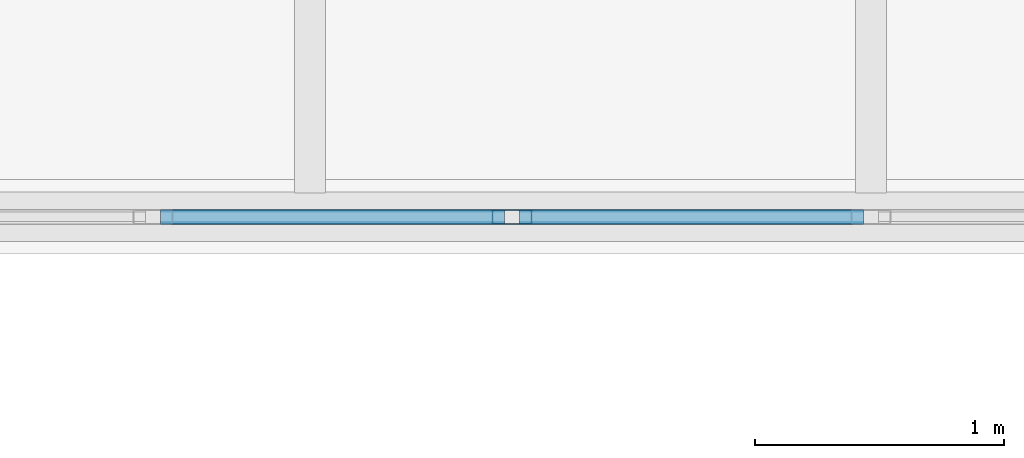
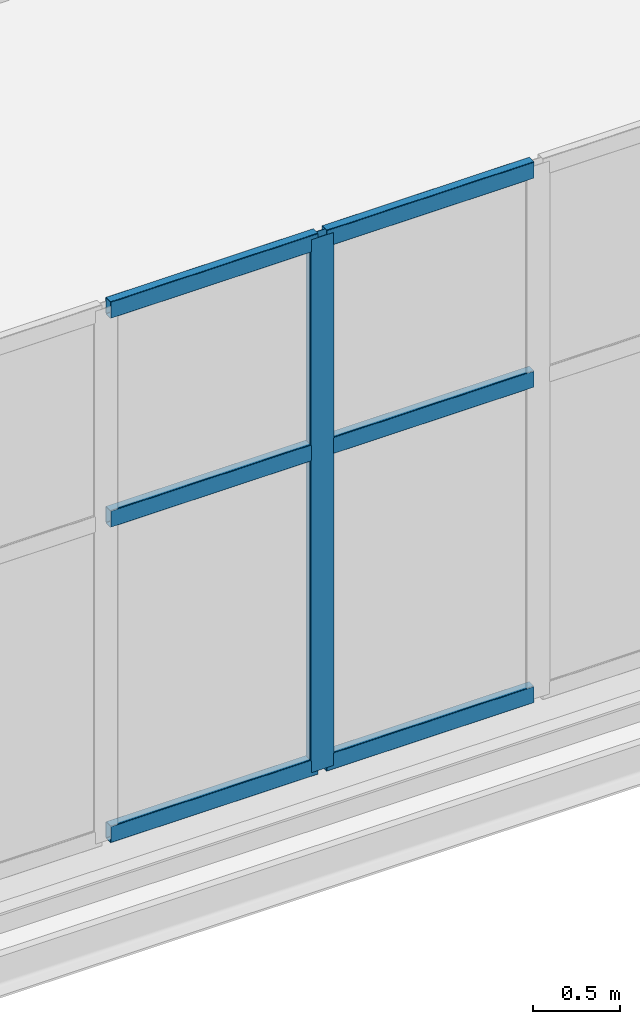
# One storey, part 102 of 172: 7 members, 1 element without a shape of its own.
"""IFC4 building model written with IfcOpenShell, lengths in metres."""

from ifc_helpers import new_model, si_unit, direction, frame, origin, origin_2d, place, context, subcontext, project, spatial, hollow_rectangle, extrude, material, material_profile, profile_set, type_object, element, aggregate, save


model = new_model("IFC4")

# Units and contexts
model_context = context("Model", 3, precision=1e-05, world=origin(), true_north=direction((0.0, 1.0)))
body_context = subcontext(model_context, "Body", "Model", "MODEL_VIEW")
ifc_project = project(units=[si_unit("LENGTHUNIT", "METRE"), si_unit("AREAUNIT", "SQUARE_METRE"), si_unit("VOLUMEUNIT", "CUBIC_METRE"), si_unit("PLANEANGLEUNIT", "RADIAN"), si_unit("MASSUNIT", "GRAM", prefix="KILO")], contexts=[model_context])

# Site, building, storey
site_placement = place(None, origin())
site = spatial("IfcSite", under=ifc_project, at=site_placement, CompositionType="ELEMENT")
building_placement = place(site_placement, origin())
building = spatial("IfcBuilding", under=site, at=building_placement, Name="Shengluoqiao Park Theatre", CompositionType="ELEMENT")
storey_placement = place(building_placement, frame((0.0, 0.0, 5.39990234375)))
storey = spatial("IfcBuildingStorey", under=building, at=storey_placement, Name="L01", CompositionType="ELEMENT", Elevation=5.39990234375)

# Curtain wall, members
ifc_material = material(Name="Aluminium 6063-T6", Category="aluminium")
curtain_wall_type = type_object("IfcCurtainWallType", Name="ENV-CW-BRIDGE", PredefinedType="NOTDEFINED", material=ifc_material)
curtain_wall_placement = place(storey_placement, origin())
curtain_wall = element("IfcCurtainWall", 1, at=curtain_wall_placement, inside=storey, type_object=curtain_wall_type, Name="L01 Curtain Wall CWX-L01-0134", PredefinedType="NOTDEFINED")
ifc_material_profile_1 = material_profile(ifc_material, hollow_rectangle(XDim=0.06005859375, YDim=0.159912109375, WallThickness=0.00390625, InnerFilletRadius=0.00390625, OuterFilletRadius=0.008056640625, at=origin_2d()), Name="ALU MULLION 160x60x4")
ifc_profile_set_1 = profile_set([ifc_material_profile_1], Name="Aluminium 6063-T6")
member_type_1 = type_object("IfcMemberType", Name="ENV-MUL-160", PredefinedType="MULLION", material=ifc_profile_set_1)
member_1_placement = place(storey_placement, frame((142.460693359375, 53.199951171875, 0.0), z_axis=(0.0, 0.0, 1.0), x_axis=(0.0, 1.0, 0.0)))
member_1 = element("IfcMember", 2, at=member_1_placement, type_object=member_type_1, Name="CW-03 mullion 3", PredefinedType="MULLION", context=body_context, shape_type="SweptSolid", body=[
    extrude(hollow_rectangle(XDim=0.06005859375, YDim=0.159912109375, WallThickness=0.00390625, InnerFilletRadius=0.00390625, OuterFilletRadius=0.008056640625, at=origin_2d()), origin(), (0.0, 0.0, 1.0), 3.752197265625),
])
ifc_material_profile_2 = material_profile(ifc_material, hollow_rectangle(XDim=0.06005859375, YDim=0.1201171875, WallThickness=0.00390625, InnerFilletRadius=0.00390625, OuterFilletRadius=0.008056640625, at=origin_2d()), Name="ALU TRANSOM 120x60x4")
ifc_profile_set_2 = profile_set([ifc_material_profile_2], Name="Aluminium 6063-T6")
member_type_2 = type_object("IfcMemberType", Name="ENV-TRN-120", PredefinedType="USERDEFINED", material=ifc_profile_set_2)
member_2_placement = place(storey_placement, frame((141.05126953125, 53.199951171875, 0.030029296875), z_axis=(1.0, 0.0, 0.0), x_axis=(0.0, 1.0, 0.0)))
member_2 = element("IfcMember", 3, at=member_2_placement, type_object=member_type_2, Name="CW-03 transom 2.1", ObjectType="TRANSOM", PredefinedType="USERDEFINED", context=body_context, shape_type="SweptSolid", body=[
    extrude(hollow_rectangle(XDim=0.06005859375, YDim=0.1201171875, WallThickness=0.00390625, InnerFilletRadius=0.00390625, OuterFilletRadius=0.008056640625, at=origin_2d()), origin(), (0.0, 0.0, 1.0), 1.37939453125),
])
member_3_placement = place(storey_placement, frame((141.05126953125, 53.199951171875, 2.2509765625), z_axis=(1.0, 0.0, 0.0), x_axis=(0.0, 1.0, 0.0)))
member_3 = element("IfcMember", 4, at=member_3_placement, type_object=member_type_2, Name="CW-03 transom 2.2", ObjectType="TRANSOM", PredefinedType="USERDEFINED", context=body_context, shape_type="SweptSolid", body=[
    extrude(hollow_rectangle(XDim=0.06005859375, YDim=0.1201171875, WallThickness=0.00390625, InnerFilletRadius=0.00390625, OuterFilletRadius=0.008056640625, at=origin_2d()), origin(), (0.0, 0.0, 1.0), 1.37939453125),
])
member_4_placement = place(storey_placement, frame((141.05126953125, 53.199951171875, 3.72216796875), z_axis=(1.0, 0.0, 0.0), x_axis=(0.0, 1.0, 0.0)))
member_4 = element("IfcMember", 5, at=member_4_placement, type_object=member_type_2, Name="CW-03 transom 2.3", ObjectType="TRANSOM", PredefinedType="USERDEFINED", context=body_context, shape_type="SweptSolid", body=[
    extrude(hollow_rectangle(XDim=0.06005859375, YDim=0.1201171875, WallThickness=0.00390625, InnerFilletRadius=0.00390625, OuterFilletRadius=0.008056640625, at=origin_2d()), origin(), (0.0, 0.0, 1.0), 1.37939453125),
])
member_5_placement = place(storey_placement, frame((142.49072265625, 53.199951171875, 0.030029296875), z_axis=(1.0, 0.0, 0.0), x_axis=(0.0, 1.0, 0.0)))
member_5 = element("IfcMember", 6, at=member_5_placement, type_object=member_type_2, Name="CW-03 transom 3.1", ObjectType="TRANSOM", PredefinedType="USERDEFINED", context=body_context, shape_type="SweptSolid", body=[
    extrude(hollow_rectangle(XDim=0.06005859375, YDim=0.1201171875, WallThickness=0.00390625, InnerFilletRadius=0.00390625, OuterFilletRadius=0.008056640625, at=origin_2d()), origin(), (0.0, 0.0, 1.0), 1.37939453125),
])
member_6_placement = place(storey_placement, frame((142.49072265625, 53.199951171875, 2.2509765625), z_axis=(1.0, 0.0, 0.0), x_axis=(0.0, 1.0, 0.0)))
member_6 = element("IfcMember", 7, at=member_6_placement, type_object=member_type_2, Name="CW-03 transom 3.2", ObjectType="TRANSOM", PredefinedType="USERDEFINED", context=body_context, shape_type="SweptSolid", body=[
    extrude(hollow_rectangle(XDim=0.06005859375, YDim=0.1201171875, WallThickness=0.00390625, InnerFilletRadius=0.00390625, OuterFilletRadius=0.008056640625, at=origin_2d()), origin(), (0.0, 0.0, 1.0), 1.37939453125),
])
member_7_placement = place(storey_placement, frame((142.49072265625, 53.199951171875, 3.72216796875), z_axis=(1.0, 0.0, 0.0), x_axis=(0.0, 1.0, 0.0)))
member_7 = element("IfcMember", 8, at=member_7_placement, type_object=member_type_2, Name="CW-03 transom 3.3", ObjectType="TRANSOM", PredefinedType="USERDEFINED", context=body_context, shape_type="SweptSolid", body=[
    extrude(hollow_rectangle(XDim=0.06005859375, YDim=0.1201171875, WallThickness=0.00390625, InnerFilletRadius=0.00390625, OuterFilletRadius=0.008056640625, at=origin_2d()), origin(), (0.0, 0.0, 1.0), 1.37939453125),
])
aggregate(curtain_wall, [member_1, member_2, member_3, member_4, member_5, member_6, member_7])

save(model, "model.ifc")
